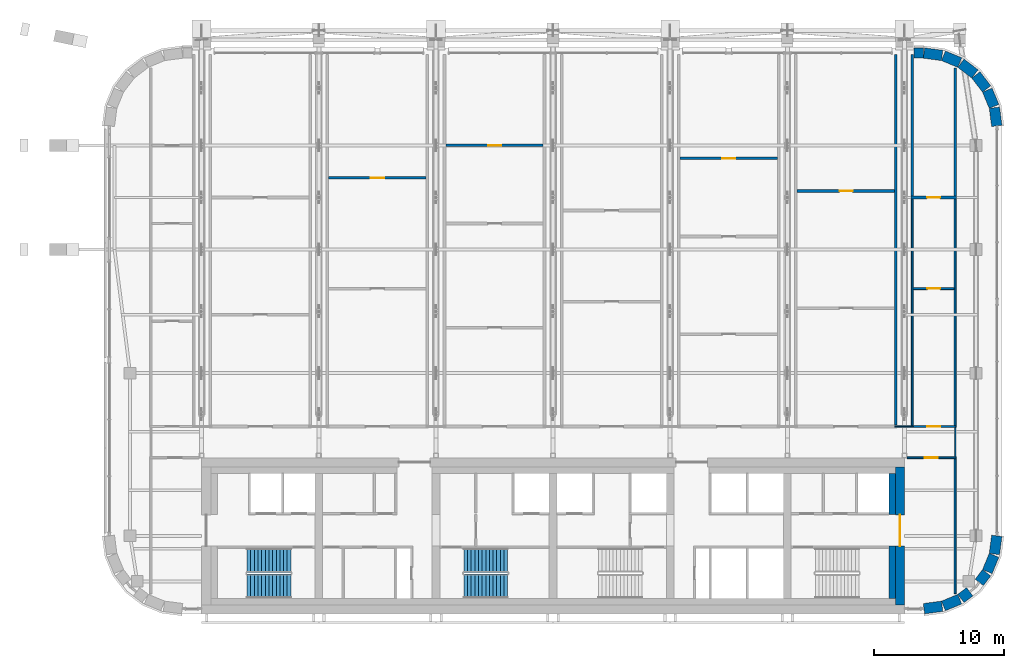
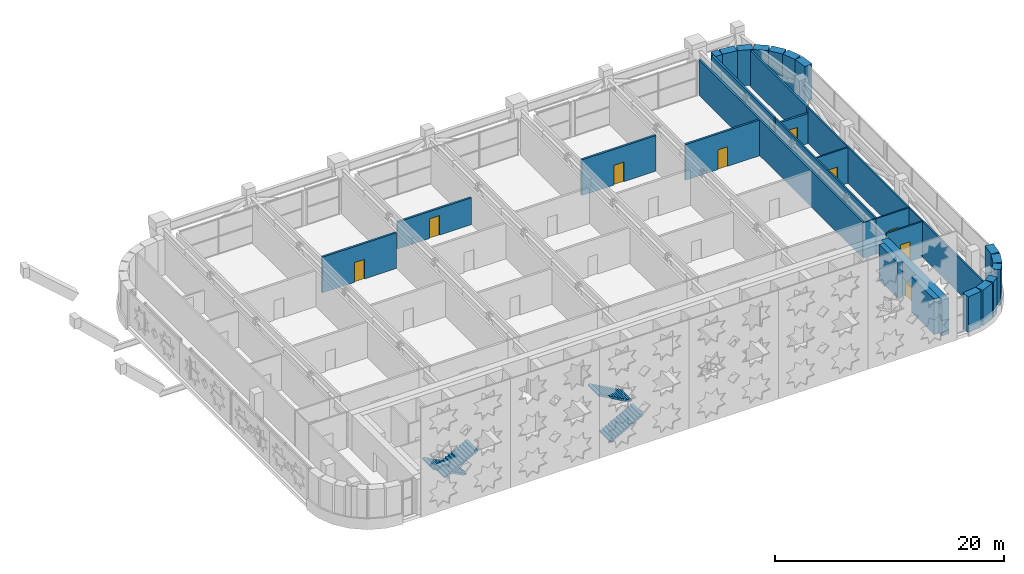
# One storey, part 19 of 26: 32 walls, 9 doors, 4 stair flights, 9 openings, 2 elements without a shape of their own.
"""IFC4 building model written with IfcOpenShell, lengths in metres."""

from ifc_helpers import new_model, si_unit, direction, frame, frame_2d, origin, place, context, subcontext, project, spatial, polyline, rectangle, outline, extrude, material, layer, layer_set, type_object, element, fill, aggregate, save


model = new_model("IFC4")

# Units and contexts
model_context = context("Model", 3, precision=1e-05, world=origin(), true_north=direction((0.0, 1.0)))
body_context = subcontext(model_context, "Body", "Model", "MODEL_VIEW")
ifc_project = project(units=[si_unit("LENGTHUNIT", "METRE"), si_unit("AREAUNIT", "SQUARE_METRE"), si_unit("VOLUMEUNIT", "CUBIC_METRE"), si_unit("PLANEANGLEUNIT", "RADIAN"), si_unit("MASSUNIT", "GRAM", prefix="KILO")], contexts=[model_context])

# Site, building, storey
site_placement = place(None, origin())
site = spatial("IfcSite", under=ifc_project, at=site_placement, CompositionType="ELEMENT")
building_placement = place(site_placement, origin())
building = spatial("IfcBuilding", under=site, at=building_placement, Name="Zellij Exchange Tower", CompositionType="ELEMENT")
storey_placement = place(building_placement, frame((0.0, 0.0, 216.5)))
storey = spatial("IfcBuildingStorey", under=building, at=storey_placement, Name="L50", CompositionType="ELEMENT", Elevation=216.5)

# Walls
ifc_material_1 = material(Name="Concrete C30/37", Category="concrete")
ifc_layer_1 = layer(ifc_material_1, 0.5)
ifc_layer_set_1 = layer_set([ifc_layer_1], Name="Concrete C30/37")
wall_type_1 = type_object("IfcWallType", Name="CORE-LW 500 C30/37", PredefinedType="SHEAR", material=ifc_layer_set_1)
wall_1_placement = place(storey_placement, frame((26.050048828125, -12.800048828125, 0.0), z_axis=(0.0, 0.0, 1.0), x_axis=(0.0, 1.0, 0.0)))
element("IfcWall", 1, at=wall_1_placement, inside=storey, type_object=wall_type_1, Name="Core wall lining end e.0 L50", PredefinedType="SHEAR", context=body_context, shape_type="SweptSolid", body=[
    extrude(rectangle(XDim=4.0, YDim=0.5, at=frame_2d((2.0, 0.0))), origin(), (0.0, 0.0, 1.0), 3.800048828125),
])
wall_2_placement = place(storey_placement, frame((26.050048828125, -6.375, 0.0), z_axis=(0.0, 0.0, 1.0), x_axis=(0.0, 1.0, 0.0)))
element("IfcWall", 2, at=wall_2_placement, inside=storey, type_object=wall_type_1, Name="Core wall lining end e.1 L50", PredefinedType="SHEAR", context=body_context, shape_type="SweptSolid", body=[
    extrude(rectangle(XDim=3.175048828125, YDim=0.5, at=frame_2d((1.58740234375, 0.0))), origin(), (0.0, 0.0, 1.0), 3.800048828125),
])

# Wall, opening, door
ifc_material_2 = material(Name="Concrete C50/60", Category="concrete")
ifc_layer_2 = layer(ifc_material_2, 0.699951171875)
ifc_layer_set_2 = layer_set([ifc_layer_2], Name="Concrete C50/60")
wall_type_2 = type_object("IfcWallType", Name="CORE-SW 700 C50/60", PredefinedType="SHEAR", material=ifc_layer_set_2)
wall_3_placement = place(storey_placement, frame((26.64990234375, -13.300048828125, 0.0), z_axis=(0.0, 0.0, 1.0), x_axis=(0.0, 1.0, 0.0)))
wall_3 = element("IfcWall", 3, at=wall_3_placement, inside=storey, type_object=wall_type_2, Name="Core shear wall end e L50", PredefinedType="SHEAR", context=body_context, shape_type="SweptSolid", body=[
    extrude(rectangle(XDim=10.60009765625, YDim=0.699951171875, at=frame_2d((5.300048828125, 0.0))), origin(), (0.0, 0.0, 1.0), 3.800048828125),
])
opening_1_placement = place(wall_3_placement, frame((4.511962890625, 0.0, 0.0)))
opening_1 = element("IfcOpeningElement", 4, at=opening_1_placement, cuts=wall_3, Name="Opening CA-27.22", PredefinedType="OPENING", context=body_context, shape_type="SweptSolid", body=[
    extrude(rectangle(XDim=2.39990234375, YDim=2.10009765625, at=frame_2d((1.199951171875, 1.050048828125))), frame((0.0, 0.36181640625, 0.0), z_axis=(0.0, -1.0, 0.0), x_axis=(1.0, 0.0, 0.0)), (0.0, 0.0, 1.0), 0.723876953125),
])
ifc_material_3 = material(Name="Hollow metal fire door")
door_type_1 = type_object("IfcDoorType", Name="CORE-D CE Core entrance door 2400x2100 20 MIN", OperationType="NOTDEFINED", PredefinedType="DOOR", material=ifc_material_3)
door_1_placement = place(opening_1_placement, origin())
door_1 = element("IfcDoor", 5, at=door_1_placement, inside=storey, type_object=door_type_1, Name="Core entrance door CA-27.22", OperationType="DOUBLE_DOOR_SINGLE_SWING", OverallHeight=2.10009765625, OverallWidth=2.39990234375, PredefinedType="DOOR", context=body_context, shape_type="SweptSolid", body=[
    extrude(rectangle(XDim=2.39990234375, YDim=2.10009765625, at=frame_2d((1.199951171875, 1.050048828125))), frame((0.0, 0.02490234375, 0.0), z_axis=(0.0, -1.0, 0.0), x_axis=(1.0, 0.0, 0.0)), (0.0, 0.0, 1.0), 0.050048828125),
])
fill(opening_1, door_1)

# Walls
ifc_material_4 = material(Name="Precast concrete C40/50", Category="concrete")
ifc_layer_3 = layer(ifc_material_4, 0.800048828125)
ifc_layer_set_3 = layer_set([ifc_layer_3], Name="Precast concrete C40/50")
wall_type_3 = type_object("IfcWallType", Name="ENV-EW1 Precast stone-piered wall 800", PredefinedType="SOLIDWALL", material=ifc_layer_set_3)
wall_4_placement = place(storey_placement, frame((28.499755859375, -13.5966796875, 0.0), z_axis=(0.0, 0.0, 1.0), x_axis=(0.99144603414, 0.130517283865, 0.0)))
element("IfcWall", 6, at=wall_4_placement, inside=storey, type_object=wall_type_3, Name="fac.L50.01", PredefinedType="SOLIDWALL", context=body_context, shape_type="SweptSolid", body=[
    extrude(rectangle(XDim=1.408447265625, YDim=0.800048828125, at=frame_2d((0.7041015625, 0.0))), origin(), (0.0, 0.0, 1.0), 3.800048828125),
])
wall_5_placement = place(storey_placement, frame((29.997314453125, -13.3857421875, 0.0), z_axis=(0.0, 0.0, 1.0), x_axis=(0.923847774587, 0.38276009378, 0.0)))
element("IfcWall", 7, at=wall_5_placement, inside=storey, type_object=wall_type_3, Name="fac.L50.02", PredefinedType="SOLIDWALL", context=body_context, shape_type="SweptSolid", body=[
    extrude(rectangle(XDim=1.35546875, YDim=0.800048828125, at=frame_2d((0.677734375, 0.0))), origin(), (0.0, 0.0, 1.0), 3.800048828125),
])
wall_6_placement = place(storey_placement, frame((31.340087890625, -12.814697265625, 0.0), z_axis=(0.0, 0.0, 1.0), x_axis=(0.793361000707, 0.608751445631, 0.0)))
element("IfcWall", 8, at=wall_6_placement, inside=storey, type_object=wall_type_3, Name="fac.L50.03", PredefinedType="SOLIDWALL", context=body_context, shape_type="SweptSolid", body=[
    extrude(rectangle(XDim=0.84912109375, YDim=0.800048828125, at=frame_2d((0.424560546875, 0.0))), origin(), (0.0, 0.0, 1.0), 3.800048828125),
])
wall_7_placement = place(storey_placement, frame((32.747802734375, -11.578857421875, 0.0), z_axis=(0.0, 0.0, 1.0), x_axis=(0.608772738221, 0.793344662299, 0.0)))
element("IfcWall", 9, at=wall_7_placement, inside=storey, type_object=wall_type_3, Name="fac.L50.04", PredefinedType="SOLIDWALL", context=body_context, shape_type="SweptSolid", body=[
    extrude(rectangle(XDim=0.93115234375, YDim=0.800048828125, at=frame_2d((0.465576171875, 0.0))), origin(), (0.0, 0.0, 1.0), 3.800048828125),
])
wall_8_placement = place(storey_placement, frame((33.366943359375, -10.74951171875, 0.0), z_axis=(0.0, 0.0, 1.0), x_axis=(0.38276009378, 0.923847774587, 0.0)))
element("IfcWall", 10, at=wall_8_placement, inside=storey, type_object=wall_type_3, Name="fac.L50.05", PredefinedType="SOLIDWALL", context=body_context, shape_type="SweptSolid", body=[
    extrude(rectangle(XDim=1.35546875, YDim=0.800048828125, at=frame_2d((0.677734375, 0.0))), origin(), (0.0, 0.0, 1.0), 3.800048828125),
])
for number, where, z_axis, x_axis, name in (
    (11, (33.912841796875, -9.396240234375, 0.0), (0.0, 0.0, 1.0), (0.130517283865, 0.99144603414, 0.0), "fac.L50.06"),
    (12, (34.0966796875, 23.499755859375, 0.0), (0.0, 0.0, 1.0), (-0.130517283865, 0.99144603414, 0.0), "fac.L50.08"),
):
    element("IfcWall", number, at=place(storey_placement, frame(where, z_axis=z_axis, x_axis=x_axis)), inside=storey, type_object=wall_type_3, Name=name, PredefinedType="SOLIDWALL", context=body_context, shape_type="SweptSolid", body=[
        extrude(rectangle(XDim=1.408447265625, YDim=0.800048828125, at=frame_2d((0.7041015625, 0.0))), origin(), (0.0, 0.0, 1.0), 3.800048828125),
    ])
wall_9_placement = place(storey_placement, frame((33.8857421875, 24.997314453125, 0.0), z_axis=(0.0, 0.0, 1.0), x_axis=(-0.38276009378, 0.923847774587, 0.0)))
element("IfcWall", 13, at=wall_9_placement, inside=storey, type_object=wall_type_3, Name="fac.L50.09", PredefinedType="SOLIDWALL", context=body_context, shape_type="SweptSolid", body=[
    extrude(rectangle(XDim=1.35546875, YDim=0.800048828125, at=frame_2d((0.677734375, 0.0))), origin(), (0.0, 0.0, 1.0), 3.800048828125),
])
for number, where, z_axis, x_axis, name in (
    (14, (33.314697265625, 26.340087890625, 0.0), (0.0, 0.0, 1.0), (-0.608866226366, 0.793272915452, 0.0), "fac.L50.10"),
    (15, (32.41552734375, 27.4892578125, 0.0), (0.0, 0.0, 1.0), (-0.793272915452, 0.608866226366, 0.0), "fac.L50.11"),
):
    element("IfcWall", number, at=place(storey_placement, frame(where, z_axis=z_axis, x_axis=x_axis)), inside=storey, type_object=wall_type_3, Name=name, PredefinedType="SOLIDWALL", context=body_context, shape_type="SweptSolid", body=[
        extrude(rectangle(XDim=1.355712890625, YDim=0.800048828125, at=frame_2d((0.677734375, 0.0))), origin(), (0.0, 0.0, 1.0), 3.800048828125),
    ])
wall_10_placement = place(storey_placement, frame((31.24951171875, 28.366943359375, 0.0), z_axis=(0.0, 0.0, 1.0), x_axis=(-0.923847774587, 0.38276009378, 0.0)))
element("IfcWall", 16, at=wall_10_placement, inside=storey, type_object=wall_type_3, Name="fac.L50.12", PredefinedType="SOLIDWALL", context=body_context, shape_type="SweptSolid", body=[
    extrude(rectangle(XDim=1.35546875, YDim=0.800048828125, at=frame_2d((0.677734375, 0.0))), origin(), (0.0, 0.0, 1.0), 3.800048828125),
])
wall_11_placement = place(storey_placement, frame((29.896240234375, 28.912841796875, 0.0), z_axis=(0.0, 0.0, 1.0), x_axis=(-0.99144603414, 0.130517283865, 0.0)))
element("IfcWall", 17, at=wall_11_placement, inside=storey, type_object=wall_type_3, Name="fac.L50.13", PredefinedType="SOLIDWALL", context=body_context, shape_type="SweptSolid", body=[
    extrude(rectangle(XDim=1.408447265625, YDim=0.800048828125, at=frame_2d((0.7041015625, 0.0))), origin(), (0.0, 0.0, 1.0), 3.800048828125),
])
wall_12_placement = place(storey_placement, frame((28.447509765625, 29.10009765625, 0.0), z_axis=(0.0, 0.0, 1.0), x_axis=(-1.0, 0.0, 0.0)))
element("IfcWall", 18, at=wall_12_placement, inside=storey, type_object=wall_type_3, Name="fac.L50.14a", PredefinedType="SOLIDWALL", context=body_context, shape_type="SweptSolid", body=[
    extrude(rectangle(XDim=0.697509765625, YDim=0.800048828125, at=frame_2d((0.3486328125, 0.0))), origin(), (0.0, 0.0, 1.0), 3.800048828125),
])
ifc_material_5 = material(Name="Blockwork fire wall", Category="masonry")
ifc_layer_4 = layer(ifc_material_5, 0.199951171875)
ifc_layer_set_4 = layer_set([ifc_layer_4], Name="Blockwork fire wall")
wall_type_4 = type_object("IfcWallType", Name="FIT-BLOCKWORK-200-EI120", PredefinedType="PARTITIONING", material=ifc_layer_set_4)
wall_13_placement = place(storey_placement, frame((26.340087890625, 0.5, 0.0), z_axis=(0.0, 0.0, 1.0), x_axis=(0.0, 1.0, 0.0)))
element("IfcWall", 19, at=wall_13_placement, inside=storey, type_object=wall_type_4, Name="FIT-BLOCKWORK-200-EI120 034", PredefinedType="PARTITIONING", context=body_context, shape_type="SweptSolid", body=[
    extrude(rectangle(XDim=28.5, YDim=0.199951171875, at=frame_2d((14.25, 0.0))), origin(), (0.0, 0.0, 1.0), 3.800048828125),
])

# Wall, opening, door
wall_14_placement = place(storey_placement, frame((27.5, 18.0, 0.0), z_axis=(0.0, 0.0, 1.0), x_axis=(1.0, 0.0, 0.0)))
wall_14 = element("IfcWall", 20, at=wall_14_placement, inside=storey, type_object=wall_type_4, Name="FIT-BLOCKWORK-200-EI120 051", PredefinedType="PARTITIONING", context=body_context, shape_type="SweptSolid", body=[
    extrude(rectangle(XDim=3.5, YDim=0.199951171875, at=frame_2d((1.75, 0.0))), origin(), (0.0, 0.0, 1.0), 3.200439453125),
])
opening_2_placement = place(wall_14_placement, frame((1.25, 0.0, 0.0)))
opening_2 = element("IfcOpeningElement", 21, at=opening_2_placement, cuts=wall_14, Name="Opening PL50.24", PredefinedType="OPENING", context=body_context, shape_type="SweptSolid", body=[
    extrude(rectangle(XDim=1.0, YDim=2.10009765625, at=frame_2d((0.5, 1.050048828125))), frame((0.0, 0.11181640625, 0.0), z_axis=(0.0, -1.0, 0.0), x_axis=(1.0, 0.0, 0.0)), (0.0, 0.0, 1.0), 0.223876953125),
])
ifc_material_6 = material(Name="Steel fire door set", Category="steel")
door_type_2 = type_object("IfcDoorType", Name="FIT-D4-FIRE-1000X2100", OperationType="SINGLE_SWING_LEFT", PredefinedType="DOOR", material=ifc_material_6)
door_2_placement = place(opening_2_placement, origin())
door_2 = element("IfcDoor", 22, at=door_2_placement, inside=storey, type_object=door_type_2, Name="Door PL50.24", OperationType="SINGLE_SWING_LEFT", OverallHeight=2.10009765625, OverallWidth=1.0, PredefinedType="DOOR", context=body_context, shape_type="SweptSolid", body=[
    extrude(rectangle(XDim=1.0, YDim=2.10009765625, at=frame_2d((0.5, 1.050048828125))), frame((0.0, 0.02490234375, 0.0), z_axis=(0.0, -1.0, 0.0), x_axis=(1.0, 0.0, 0.0)), (0.0, 0.0, 1.0), 0.050048828125),
])
fill(opening_2, door_2)

# Walls
wall_15_placement = place(storey_placement, frame((27.60009765625, 18.10009765625, 0.0), z_axis=(0.0, 0.0, 1.0), x_axis=(0.0, 1.0, 0.0)))
element("IfcWall", 23, at=wall_15_placement, inside=storey, type_object=wall_type_4, Name="FIT-BLOCKWORK-200-EI120 052", PredefinedType="PARTITIONING", context=body_context, shape_type="SweptSolid", body=[
    extrude(rectangle(XDim=10.8798828125, YDim=0.199951171875, at=frame_2d((5.43994140625, 0.0))), origin(), (0.0, 0.0, 1.0), 3.800048828125),
])
wall_16_placement = place(storey_placement, frame((30.89990234375, 18.10009765625, 0.0), z_axis=(0.0, 0.0, 1.0), x_axis=(0.0, 1.0, 0.0)))
element("IfcWall", 24, at=wall_16_placement, inside=storey, type_object=wall_type_4, Name="FIT-BLOCKWORK-200-EI120 053", PredefinedType="PARTITIONING", context=body_context, shape_type="SweptSolid", body=[
    extrude(rectangle(XDim=9.83984375, YDim=0.199951171875, at=frame_2d((4.919921875, 0.0))), origin(), (0.0, 0.0, 1.0), 3.800048828125),
])

# Wall, opening, door
wall_17_placement = place(storey_placement, frame((18.760009765625, 18.5, 0.0), z_axis=(0.0, 0.0, 1.0), x_axis=(1.0, 0.0, 0.0)))
wall_17 = element("IfcWall", 25, at=wall_17_placement, inside=storey, type_object=wall_type_4, Name="FIT-BLOCKWORK-200-EI120 054", PredefinedType="PARTITIONING", context=body_context, shape_type="SweptSolid", body=[
    extrude(rectangle(XDim=7.47998046875, YDim=0.199951171875, at=frame_2d((3.739990234375, 0.0))), origin(), (0.0, 0.0, 1.0), 3.800048828125),
])
opening_3_placement = place(wall_17_placement, frame((3.25, 0.0, 0.0)))
opening_3 = element("IfcOpeningElement", 26, at=opening_3_placement, cuts=wall_17, Name="Opening PL50.25", PredefinedType="OPENING", context=body_context, shape_type="SweptSolid", body=[
    extrude(rectangle(XDim=1.0, YDim=2.10009765625, at=frame_2d((0.5, 1.050048828125))), frame((0.0, 0.11181640625, 0.0), z_axis=(0.0, -1.0, 0.0), x_axis=(1.0, 0.0, 0.0)), (0.0, 0.0, 1.0), 0.223876953125),
])
door_3_placement = place(opening_3_placement, origin())
door_3 = element("IfcDoor", 27, at=door_3_placement, inside=storey, type_object=door_type_2, Name="Door PL50.25", OperationType="SINGLE_SWING_RIGHT", OverallHeight=2.10009765625, OverallWidth=1.0, PredefinedType="DOOR", context=body_context, shape_type="SweptSolid", body=[
    extrude(rectangle(XDim=1.0, YDim=2.10009765625, at=frame_2d((0.5, 1.050048828125))), frame((0.0, 0.02490234375, 0.0), z_axis=(0.0, -1.0, 0.0), x_axis=(1.0, 0.0, 0.0)), (0.0, 0.0, 1.0), 0.050048828125),
])
fill(opening_3, door_3)

wall_18_placement = place(storey_placement, frame((-17.239990234375, 19.5, 0.0), z_axis=(0.0, 0.0, 1.0), x_axis=(1.0, 0.0, 0.0)))
wall_18 = element("IfcWall", 28, at=wall_18_placement, inside=storey, type_object=wall_type_4, Name="FIT-BLOCKWORK-200-EI120 055", PredefinedType="PARTITIONING", context=body_context, shape_type="SweptSolid", body=[
    extrude(rectangle(XDim=7.47998046875, YDim=0.199951171875, at=frame_2d((3.739990234375, 0.0))), origin(), (0.0, 0.0, 1.0), 3.800048828125),
])
opening_4_placement = place(wall_18_placement, frame((3.25, 0.0, 0.0)))
opening_4 = element("IfcOpeningElement", 29, at=opening_4_placement, cuts=wall_18, Name="Opening PL50.26", PredefinedType="OPENING", context=body_context, shape_type="SweptSolid", body=[
    extrude(rectangle(XDim=1.0, YDim=2.10009765625, at=frame_2d((0.5, 1.050048828125))), frame((0.0, 0.11181640625, 0.0), z_axis=(0.0, -1.0, 0.0), x_axis=(1.0, 0.0, 0.0)), (0.0, 0.0, 1.0), 0.223876953125),
])
door_4_placement = place(opening_4_placement, origin())
door_4 = element("IfcDoor", 30, at=door_4_placement, inside=storey, type_object=door_type_2, Name="Door PL50.26", OperationType="SINGLE_SWING_RIGHT", OverallHeight=2.10009765625, OverallWidth=1.0, PredefinedType="DOOR", context=body_context, shape_type="SweptSolid", body=[
    extrude(rectangle(XDim=1.0, YDim=2.10009765625, at=frame_2d((0.5, 1.050048828125))), frame((0.0, 0.02490234375, 0.0), z_axis=(0.0, -1.0, 0.0), x_axis=(1.0, 0.0, 0.0)), (0.0, 0.0, 1.0), 0.050048828125),
])
fill(opening_4, door_4)

wall_19_placement = place(storey_placement, frame((9.760009765625, 21.0, 0.0), z_axis=(0.0, 0.0, 1.0), x_axis=(1.0, 0.0, 0.0)))
wall_19 = element("IfcWall", 31, at=wall_19_placement, inside=storey, type_object=wall_type_4, Name="FIT-BLOCKWORK-200-EI120 056", PredefinedType="PARTITIONING", context=body_context, shape_type="SweptSolid", body=[
    extrude(rectangle(XDim=7.47998046875, YDim=0.199951171875, at=frame_2d((3.739990234375, 0.0))), origin(), (0.0, 0.0, 1.0), 3.800048828125),
])
opening_5_placement = place(wall_19_placement, frame((3.25, 0.0, 0.0)))
opening_5 = element("IfcOpeningElement", 32, at=opening_5_placement, cuts=wall_19, Name="Opening PL50.27", PredefinedType="OPENING", context=body_context, shape_type="SweptSolid", body=[
    extrude(rectangle(XDim=1.0, YDim=2.10009765625, at=frame_2d((0.5, 1.050048828125))), frame((0.0, 0.11181640625, 0.0), z_axis=(0.0, -1.0, 0.0), x_axis=(1.0, 0.0, 0.0)), (0.0, 0.0, 1.0), 0.223876953125),
])
door_5_placement = place(opening_5_placement, origin())
door_5 = element("IfcDoor", 33, at=door_5_placement, inside=storey, type_object=door_type_2, Name="Door PL50.27", OperationType="SINGLE_SWING_RIGHT", OverallHeight=2.10009765625, OverallWidth=1.0, PredefinedType="DOOR", context=body_context, shape_type="SweptSolid", body=[
    extrude(rectangle(XDim=1.0, YDim=2.10009765625, at=frame_2d((0.5, 1.050048828125))), frame((0.0, 0.02490234375, 0.0), z_axis=(0.0, -1.0, 0.0), x_axis=(1.0, 0.0, 0.0)), (0.0, 0.0, 1.0), 0.050048828125),
])
fill(opening_5, door_5)

wall_20_placement = place(storey_placement, frame((-8.239990234375, 22.0, 0.0), z_axis=(0.0, 0.0, 1.0), x_axis=(1.0, 0.0, 0.0)))
wall_20 = element("IfcWall", 34, at=wall_20_placement, inside=storey, type_object=wall_type_4, Name="FIT-BLOCKWORK-200-EI120 058", PredefinedType="PARTITIONING", context=body_context, shape_type="SweptSolid", body=[
    extrude(rectangle(XDim=7.47998046875, YDim=0.199951171875, at=frame_2d((3.739990234375, 0.0))), origin(), (0.0, 0.0, 1.0), 2.867919921875),
])
opening_6_placement = place(wall_20_placement, frame((3.25, 0.0, 0.0)))
opening_6 = element("IfcOpeningElement", 35, at=opening_6_placement, cuts=wall_20, Name="Opening PL50.29", PredefinedType="OPENING", context=body_context, shape_type="SweptSolid", body=[
    extrude(rectangle(XDim=1.0, YDim=2.10009765625, at=frame_2d((0.5, 1.050048828125))), frame((0.0, 0.11181640625, 0.0), z_axis=(0.0, -1.0, 0.0), x_axis=(1.0, 0.0, 0.0)), (0.0, 0.0, 1.0), 0.223876953125),
])
door_6_placement = place(opening_6_placement, origin())
door_6 = element("IfcDoor", 36, at=door_6_placement, inside=storey, type_object=door_type_2, Name="Door PL50.29", OperationType="SINGLE_SWING_RIGHT", OverallHeight=2.10009765625, OverallWidth=1.0, PredefinedType="DOOR", context=body_context, shape_type="SweptSolid", body=[
    extrude(rectangle(XDim=1.0, YDim=2.10009765625, at=frame_2d((0.5, 1.050048828125))), frame((0.0, 0.02490234375, 0.0), z_axis=(0.0, -1.0, 0.0), x_axis=(1.0, 0.0, 0.0)), (0.0, 0.0, 1.0), 0.050048828125),
])
fill(opening_6, door_6)

# Walls
ifc_material_7 = material(Name="Gypsum board partition on steel studs", Category="steel")
ifc_layer_5 = layer(ifc_material_7, 0.10009765625)
ifc_layer_set_5 = layer_set([ifc_layer_5], Name="Gypsum board partition on steel studs")
wall_type_5 = type_object("IfcWallType", Name="FIT-PARTITION-100", PredefinedType="PARTITIONING", material=ifc_layer_set_5)
wall_21_placement = place(storey_placement, frame((30.89990234375, -1.925048828125, 0.0), z_axis=(0.0, 0.0, 1.0), x_axis=(0.0, 1.0, 0.0)))
element("IfcWall", 37, at=wall_21_placement, inside=storey, type_object=wall_type_5, Name="FIT-PARTITION-100 006", PredefinedType="PARTITIONING", context=body_context, shape_type="SweptSolid", body=[
    extrude(rectangle(XDim=2.25, YDim=0.10009765625, at=frame_2d((1.125, 0.0))), origin(), (0.0, 0.0, 1.0), 3.800048828125),
])
wall_22_placement = place(storey_placement, frame((26.239990234375, 0.39990234375, 0.0), z_axis=(0.0, 0.0, 1.0), x_axis=(1.0, 0.0, 0.0)))
element("IfcWall", 38, at=wall_22_placement, inside=storey, type_object=wall_type_5, Name="FIT-PARTITION-100 033", PredefinedType="PARTITIONING", context=body_context, shape_type="SweptSolid", body=[
    extrude(rectangle(XDim=1.43505859375, YDim=0.10009765625, at=frame_2d((0.717529296875, 0.0))), origin(), (0.0, 0.0, 1.0), 3.800048828125),
])
ifc_material_8 = material(Name="Gypsum board shaft-wall partition", Category="gypsum")
ifc_layer_6 = layer(ifc_material_8, 0.14990234375)
ifc_layer_set_6 = layer_set([ifc_layer_6], Name="Gypsum board shaft-wall partition")
wall_type_6 = type_object("IfcWallType", Name="FIT-PARTITION-150-EI60", PredefinedType="PARTITIONING", material=ifc_layer_set_6)
wall_23_placement = place(storey_placement, frame((30.89990234375, -12.43994140625, 0.0), z_axis=(0.0, 0.0, 1.0), x_axis=(0.0, 1.0, 0.0)))
element("IfcWall", 39, at=wall_23_placement, inside=storey, type_object=wall_type_6, Name="FIT-PARTITION-150-EI60 002", PredefinedType="PARTITIONING", context=body_context, shape_type="SweptSolid", body=[
    extrude(rectangle(XDim=10.364990234375, YDim=0.14990234375, at=frame_2d((5.1826171875, 0.0))), origin(), (0.0, 0.0, 1.0), 3.800048828125),
])

# Wall, opening, door
wall_24_placement = place(storey_placement, frame((27.2119140625, -2.0, 0.0), z_axis=(0.0, 0.0, 1.0), x_axis=(1.0, 0.0, 0.0)))
wall_24 = element("IfcWall", 40, at=wall_24_placement, inside=storey, type_object=wall_type_6, Name="FIT-PARTITION-150-EI60 005", PredefinedType="PARTITIONING", context=body_context, shape_type="SweptSolid", body=[
    extrude(rectangle(XDim=3.76318359375, YDim=0.14990234375, at=frame_2d((1.881591796875, 0.0))), origin(), (0.0, 0.0, 1.0), 3.800048828125),
])
opening_7_placement = place(wall_24_placement, frame((1.3662109375, 0.0, 0.0)))
opening_7 = element("IfcOpeningElement", 41, at=opening_7_placement, cuts=wall_24, Name="Opening PL50.02", PredefinedType="OPENING", context=body_context, shape_type="SweptSolid", body=[
    extrude(rectangle(XDim=1.0, YDim=2.10009765625, at=frame_2d((0.5, 1.050048828125))), frame((0.0, 0.0869140625, 0.0), z_axis=(0.0, -1.0, 0.0), x_axis=(1.0, 0.0, 0.0)), (0.0, 0.0, 1.0), 0.173828125),
])
door_7_placement = place(opening_7_placement, origin())
door_7 = element("IfcDoor", 42, at=door_7_placement, inside=storey, type_object=door_type_2, Name="Door PL50.02", OperationType="SINGLE_SWING_LEFT", OverallHeight=2.10009765625, OverallWidth=1.0, PredefinedType="DOOR", context=body_context, shape_type="SweptSolid", body=[
    extrude(rectangle(XDim=1.0, YDim=2.10009765625, at=frame_2d((0.5, 1.050048828125))), frame((0.0, 0.02490234375, 0.0), z_axis=(0.0, -1.0, 0.0), x_axis=(1.0, 0.0, 0.0)), (0.0, 0.0, 1.0), 0.050048828125),
])
fill(opening_7, door_7)

wall_25_placement = place(storey_placement, frame((27.52490234375, 0.39990234375, 0.0), z_axis=(0.0, 0.0, 1.0), x_axis=(1.0, 0.0, 0.0)))
wall_25 = element("IfcWall", 43, at=wall_25_placement, inside=storey, type_object=wall_type_6, Name="FIT-PARTITION-150-EI60 035", PredefinedType="PARTITIONING", context=body_context, shape_type="SweptSolid", body=[
    extrude(rectangle(XDim=3.4501953125, YDim=0.14990234375, at=frame_2d((1.72509765625, 0.0))), origin(), (0.0, 0.0, 1.0), 3.800048828125),
])
opening_8_placement = place(wall_25_placement, frame((1.22509765625, 0.0, 0.0)))
opening_8 = element("IfcOpeningElement", 44, at=opening_8_placement, cuts=wall_25, Name="Opening PL50.10", PredefinedType="OPENING", context=body_context, shape_type="SweptSolid", body=[
    extrude(rectangle(XDim=1.0, YDim=2.10009765625, at=frame_2d((0.5, 1.050048828125))), frame((0.0, 0.0869140625, 0.0), z_axis=(0.0, -1.0, 0.0), x_axis=(1.0, 0.0, 0.0)), (0.0, 0.0, 1.0), 0.173828125),
])
door_8_placement = place(opening_8_placement, origin())
door_8 = element("IfcDoor", 45, at=door_8_placement, inside=storey, type_object=door_type_2, Name="Door PL50.10", OperationType="SINGLE_SWING_RIGHT", OverallHeight=2.10009765625, OverallWidth=1.0, PredefinedType="DOOR", context=body_context, shape_type="SweptSolid", body=[
    extrude(rectangle(XDim=1.0, YDim=2.10009765625, at=frame_2d((0.5, 1.050048828125))), frame((0.0, 0.02490234375, 0.0), z_axis=(0.0, -1.0, 0.0), x_axis=(1.0, 0.0, 0.0)), (0.0, 0.0, 1.0), 0.050048828125),
])
fill(opening_8, door_8)

# Walls
for number, where, z_axis, x_axis, name in (
    (46, (27.60009765625, 0.47509765625, 0.0), (0.0, 0.0, 1.0), (0.0, 1.0, 0.0), "FIT-PARTITION-150-EI60 036"),
    (47, (30.89990234375, 0.47509765625, 0.0), (0.0, 0.0, 1.0), (0.0, 1.0, 0.0), "FIT-PARTITION-150-EI60 037"),
):
    element("IfcWall", number, at=place(storey_placement, frame(where, z_axis=z_axis, x_axis=x_axis)), inside=storey, type_object=wall_type_6, Name=name, PredefinedType="PARTITIONING", context=body_context, shape_type="SweptSolid", body=[
        extrude(rectangle(XDim=17.4248046875, YDim=0.14990234375, at=frame_2d((8.71240234375, 0.0))), origin(), (0.0, 0.0, 1.0), 3.800048828125),
    ])

# Wall, opening, door
wall_26_placement = place(storey_placement, frame((27.675048828125, 11.0, 0.0), z_axis=(0.0, 0.0, 1.0), x_axis=(1.0, 0.0, 0.0)))
wall_26 = element("IfcWall", 48, at=wall_26_placement, inside=storey, type_object=wall_type_6, Name="FIT-PARTITION-150-EI60 045", PredefinedType="PARTITIONING", context=body_context, shape_type="SweptSolid", body=[
    extrude(rectangle(XDim=3.14990234375, YDim=0.14990234375, at=frame_2d((1.574951171875, 0.0))), origin(), (0.0, 0.0, 1.0), 3.800048828125),
])
opening_9_placement = place(wall_26_placement, frame((1.074951171875, 0.0, 0.0)))
opening_9 = element("IfcOpeningElement", 49, at=opening_9_placement, cuts=wall_26, Name="Opening PL50.18", PredefinedType="OPENING", context=body_context, shape_type="SweptSolid", body=[
    extrude(rectangle(XDim=1.0, YDim=2.10009765625, at=frame_2d((0.5, 1.050048828125))), frame((0.0, 0.0869140625, 0.0), z_axis=(0.0, -1.0, 0.0), x_axis=(1.0, 0.0, 0.0)), (0.0, 0.0, 1.0), 0.173828125),
])
door_9_placement = place(opening_9_placement, origin())
door_9 = element("IfcDoor", 50, at=door_9_placement, inside=storey, type_object=door_type_2, Name="Door PL50.18", OperationType="SINGLE_SWING_RIGHT", OverallHeight=2.10009765625, OverallWidth=1.0, PredefinedType="DOOR", context=body_context, shape_type="SweptSolid", body=[
    extrude(rectangle(XDim=1.0, YDim=2.10009765625, at=frame_2d((0.5, 1.050048828125))), frame((0.0, 0.02490234375, 0.0), z_axis=(0.0, -1.0, 0.0), x_axis=(1.0, 0.0, 0.0)), (0.0, 0.0, 1.0), 0.050048828125),
])
fill(opening_9, door_9)

# Stair, stair flights
ifc_material_9 = material(Name="Concrete C40/50", Category="concrete")
stair_type = type_object("IfcStairType", Name="CORE-ST exit stair 1850 wide", PredefinedType="HALF_TURN_STAIR", material=ifc_material_9)
stair_1_placement = place(storey_placement, origin())
stair_1 = element("IfcStair", 51, at=stair_1_placement, inside=storey, type_object=stair_type, Name="L50 exit stair ST1", PredefinedType="HALF_TURN_STAIR")
stair_flight_type = type_object("IfcStairFlightType", Name="CORE-SF flight 1850 riser 153.8 going 280", PredefinedType="STRAIGHT", material=ifc_material_9)
stair_flight_1_placement = place(storey_placement, frame((-20.14990234375, -9.875, 0.0), z_axis=(0.0, 0.0, 1.0), x_axis=(-1.0, 0.0, 0.0)))
stair_flight_1 = element("IfcStairFlight", 52, at=stair_flight_1_placement, type_object=stair_flight_type, Name="ST1 flight 1", NumberOfRisers=13, NumberOfTreads=12, PredefinedType="STRAIGHT", RiserHeight=0.153846154, TreadLength=0.28, context=body_context, shape_type="SweptSolid", body=[
    extrude(outline(polyline([(0.0, 0.0), (0.0, 0.15380859375), (0.280029296875, 0.15380859375), (0.280029296875, 0.3076171875), (0.56005859375, 0.3076171875), (0.56005859375, 0.46142578125), (0.840087890625, 0.46142578125), (0.840087890625, 0.615478515625), (1.1201171875, 0.615478515625), (1.1201171875, 0.769287109375), (1.39990234375, 0.769287109375), (1.39990234375, 0.923095703125), (1.679931640625, 0.923095703125), (1.679931640625, 1.076904296875), (1.9599609375, 1.076904296875), (1.9599609375, 1.230712890625), (2.239990234375, 1.230712890625), (2.239990234375, 1.384521484375), (2.52001953125, 1.384521484375), (2.52001953125, 1.53857421875), (2.800048828125, 1.53857421875), (2.800048828125, 1.6923828125), (3.080078125, 1.6923828125), (3.080078125, 1.84619140625), (3.360107421875, 1.84619140625), (3.360107421875, 2.0), (3.360107421875, 1.675048828125), (0.311279296875, 0.0), (0.0, 0.0)])), frame((0.0, 0.925048828125, 0.0), z_axis=(0.0, -1.0, 0.0), x_axis=(1.0, 0.0, 0.0)), (0.0, 0.0, 1.0), 1.85009765625),
])
stair_flight_2_placement = place(storey_placement, frame((-23.510009765625, -11.875, 2.0), z_axis=(0.0, 0.0, 1.0), x_axis=(1.0, 0.0, 0.0)))
stair_flight_2 = element("IfcStairFlight", 53, at=stair_flight_2_placement, type_object=stair_flight_type, Name="ST1 flight 2", NumberOfRisers=13, NumberOfTreads=12, PredefinedType="STRAIGHT", RiserHeight=0.153846154, TreadLength=0.28, context=body_context, shape_type="SweptSolid", body=[
    extrude(outline(polyline([(0.0, 0.0), (0.0, 0.15380859375), (0.280029296875, 0.15380859375), (0.280029296875, 0.3076171875), (0.56005859375, 0.3076171875), (0.56005859375, 0.46142578125), (0.840087890625, 0.46142578125), (0.840087890625, 0.615478515625), (1.1201171875, 0.615478515625), (1.1201171875, 0.769287109375), (1.39990234375, 0.769287109375), (1.39990234375, 0.923095703125), (1.679931640625, 0.923095703125), (1.679931640625, 1.076904296875), (1.9599609375, 1.076904296875), (1.9599609375, 1.230712890625), (2.239990234375, 1.230712890625), (2.239990234375, 1.384521484375), (2.52001953125, 1.384521484375), (2.52001953125, 1.53857421875), (2.800048828125, 1.53857421875), (2.800048828125, 1.6923828125), (3.080078125, 1.6923828125), (3.080078125, 1.84619140625), (3.360107421875, 1.84619140625), (3.360107421875, 2.0), (3.360107421875, 1.675048828125), (0.311279296875, 0.0), (0.0, 0.0)])), frame((0.0, 0.925048828125, 0.0), z_axis=(0.0, -1.0, 0.0), x_axis=(1.0, 0.0, 0.0)), (0.0, 0.0, 1.0), 1.85009765625),
])
aggregate(stair_1, [stair_flight_1, stair_flight_2])

stair_2_placement = place(storey_placement, origin())
stair_2 = element("IfcStair", 54, at=stair_2_placement, inside=storey, type_object=stair_type, Name="L50 exit stair ST2", PredefinedType="HALF_TURN_STAIR")
stair_flight_3_placement = place(storey_placement, frame((-6.85009765625, -11.875, 0.0), z_axis=(0.0, 0.0, 1.0), x_axis=(1.0, 0.0, 0.0)))
stair_flight_3 = element("IfcStairFlight", 55, at=stair_flight_3_placement, type_object=stair_flight_type, Name="ST2 flight 1", NumberOfRisers=13, NumberOfTreads=12, PredefinedType="STRAIGHT", RiserHeight=0.153846154, TreadLength=0.28, context=body_context, shape_type="SweptSolid", body=[
    extrude(outline(polyline([(0.0, 0.0), (0.0, 0.15380859375), (0.280029296875, 0.15380859375), (0.280029296875, 0.3076171875), (0.56005859375, 0.3076171875), (0.56005859375, 0.46142578125), (0.840087890625, 0.46142578125), (0.840087890625, 0.615478515625), (1.1201171875, 0.615478515625), (1.1201171875, 0.769287109375), (1.39990234375, 0.769287109375), (1.39990234375, 0.923095703125), (1.679931640625, 0.923095703125), (1.679931640625, 1.076904296875), (1.9599609375, 1.076904296875), (1.9599609375, 1.230712890625), (2.239990234375, 1.230712890625), (2.239990234375, 1.384521484375), (2.52001953125, 1.384521484375), (2.52001953125, 1.53857421875), (2.800048828125, 1.53857421875), (2.800048828125, 1.6923828125), (3.080078125, 1.6923828125), (3.080078125, 1.84619140625), (3.360107421875, 1.84619140625), (3.360107421875, 2.0), (3.360107421875, 1.675048828125), (0.311279296875, 0.0), (0.0, 0.0)])), frame((0.0, 0.925048828125, 0.0), z_axis=(0.0, -1.0, 0.0), x_axis=(1.0, 0.0, 0.0)), (0.0, 0.0, 1.0), 1.85009765625),
])
stair_flight_4_placement = place(storey_placement, frame((-3.489990234375, -9.875, 2.0), z_axis=(0.0, 0.0, 1.0), x_axis=(-1.0, 0.0, 0.0)))
stair_flight_4 = element("IfcStairFlight", 56, at=stair_flight_4_placement, type_object=stair_flight_type, Name="ST2 flight 2", NumberOfRisers=13, NumberOfTreads=12, PredefinedType="STRAIGHT", RiserHeight=0.153846154, TreadLength=0.28, context=body_context, shape_type="SweptSolid", body=[
    extrude(outline(polyline([(0.0, 0.0), (0.0, 0.15380859375), (0.280029296875, 0.15380859375), (0.280029296875, 0.3076171875), (0.56005859375, 0.3076171875), (0.56005859375, 0.46142578125), (0.840087890625, 0.46142578125), (0.840087890625, 0.615478515625), (1.1201171875, 0.615478515625), (1.1201171875, 0.769287109375), (1.39990234375, 0.769287109375), (1.39990234375, 0.923095703125), (1.679931640625, 0.923095703125), (1.679931640625, 1.076904296875), (1.9599609375, 1.076904296875), (1.9599609375, 1.230712890625), (2.239990234375, 1.230712890625), (2.239990234375, 1.384521484375), (2.52001953125, 1.384521484375), (2.52001953125, 1.53857421875), (2.800048828125, 1.53857421875), (2.800048828125, 1.6923828125), (3.080078125, 1.6923828125), (3.080078125, 1.84619140625), (3.360107421875, 1.84619140625), (3.360107421875, 2.0), (3.360107421875, 1.675048828125), (0.311279296875, 0.0), (0.0, 0.0)])), frame((0.0, 0.925048828125, 0.0), z_axis=(0.0, -1.0, 0.0), x_axis=(1.0, 0.0, 0.0)), (0.0, 0.0, 1.0), 1.85009765625),
])
aggregate(stair_2, [stair_flight_3, stair_flight_4])

save(model, "model.ifc")
